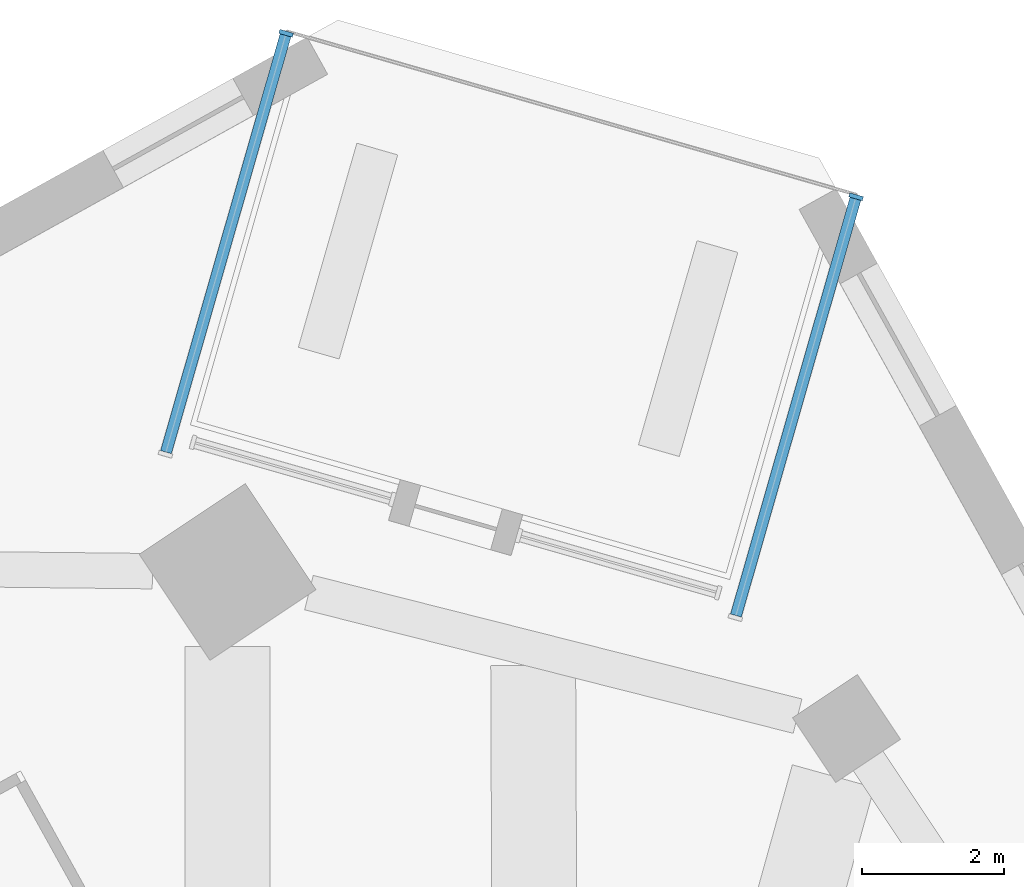
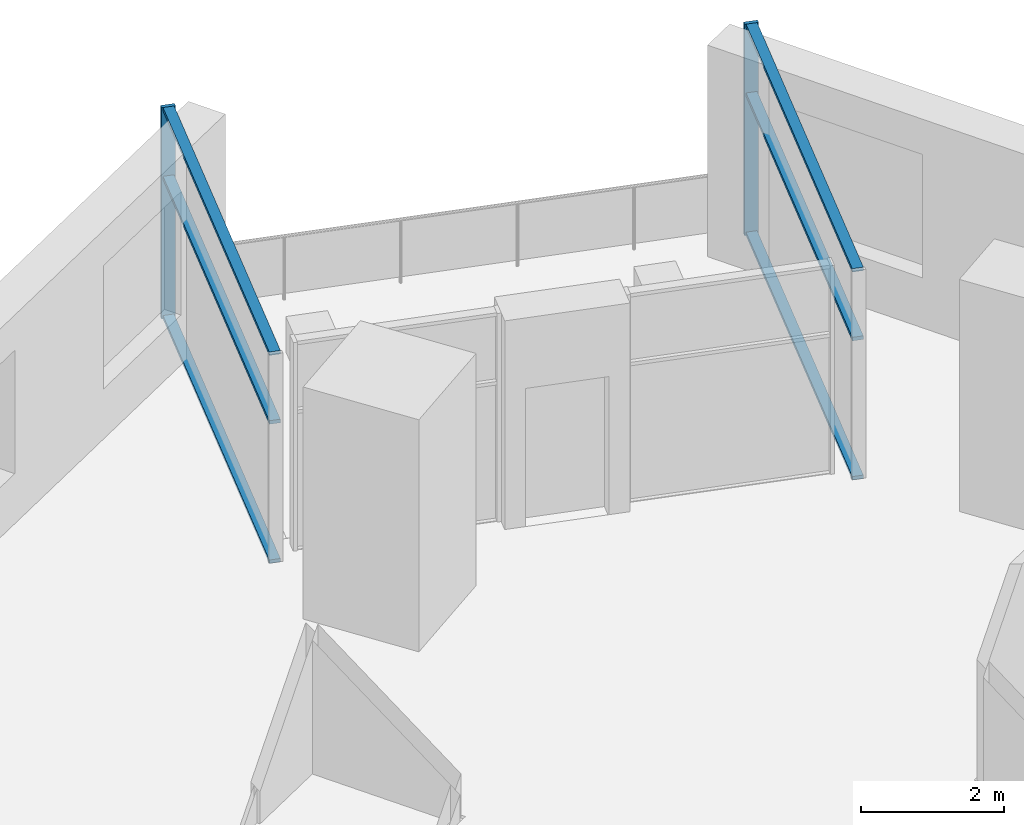
# One storey, part 3 of 12: 8 members, 2 elements without a shape of their own.
"""IFC4 building model written with IfcOpenShell, lengths in metres."""

from ifc_helpers import new_model, si_unit, direction, frame, origin, origin_2d, place, context, subcontext, project, spatial, rectangle, extrude, material, material_profile, profile_set, type_object, element, aggregate, save


model = new_model("IFC4")

# Units and contexts
model_context = context("Model", 3, precision=1e-05, world=origin(), true_north=direction((0.0, 1.0)))
body_context = subcontext(model_context, "Body", "Model", "MODEL_VIEW")
ifc_project = project(units=[si_unit("LENGTHUNIT", "METRE"), si_unit("AREAUNIT", "SQUARE_METRE"), si_unit("VOLUMEUNIT", "CUBIC_METRE"), si_unit("PLANEANGLEUNIT", "RADIAN"), si_unit("MASSUNIT", "GRAM", prefix="KILO")], contexts=[model_context])

# Site, building, storey
site_placement = place(None, origin())
site = spatial("IfcSite", under=ifc_project, at=site_placement, CompositionType="ELEMENT")
building_placement = place(site_placement, origin())
building = spatial("IfcBuilding", under=site, at=building_placement, Name="Dilmun Exchange Tower", CompositionType="ELEMENT")
storey_placement = place(building_placement, frame((0.0, 0.0, 143.699951171875)))
storey = spatial("IfcBuildingStorey", under=building, at=storey_placement, Name="L33", CompositionType="ELEMENT", Elevation=143.699951171875)

# Curtain wall, member
ifc_material_1 = material(Name="Anodised aluminium and clear glass", Category="aluminium")
curtain_wall_type = type_object("IfcCurtainWallType", Name="Garden corner glazing", PredefinedType="NOTDEFINED", material=ifc_material_1)
curtain_wall_1_placement = place(storey_placement, origin())
curtain_wall_1 = element("IfcCurtainWall", 1, at=curtain_wall_1_placement, inside=storey, type_object=curtain_wall_type, Name="Garden corner glazing run GC1.1", PredefinedType="NOTDEFINED")
ifc_material_2 = material(Name="Anodised aluminium", Category="aluminium")
ifc_material_profile_1 = material_profile(ifc_material_2, rectangle(XDim=0.199951171875, YDim=0.06005859375, at=origin_2d()), Name="AL 60x200")
ifc_profile_set_1 = profile_set([ifc_material_profile_1], Name="Anodised aluminium")
member_type_1 = type_object("IfcMemberType", Name="Garden corner glazing mullion 60 x 200", PredefinedType="MULLION", material=ifc_profile_set_1)
member_1_placement = place(storey_placement, frame((16.38623046875, 32.712158203125, 0.0), z_axis=(0.0, 0.0, 1.0), x_axis=(0.961263137899, -0.275632327054, 0.0)))
member_1 = element("IfcMember", 2, at=member_1_placement, type_object=member_type_1, Name="GC1.1 mullion 1", PredefinedType="MULLION", context=body_context, shape_type="SweptSolid", body=[
    extrude(rectangle(XDim=0.199951171875, YDim=0.06005859375, at=origin_2d()), origin(), (0.0, 0.0, 1.0), 3.60009765625),
])

curtain_wall_2_placement = place(storey_placement, origin())
curtain_wall_2 = element("IfcCurtainWall", 3, at=curtain_wall_2_placement, inside=storey, type_object=curtain_wall_type, Name="Garden corner glazing run GC3.1", PredefinedType="NOTDEFINED")
member_2_placement = place(storey_placement, frame((8.33251953125, 35.021728515625, 0.0), z_axis=(0.0, 0.0, 1.0), x_axis=(-0.961264354152, 0.275628085354, 0.0)))
member_2 = element("IfcMember", 4, at=member_2_placement, type_object=member_type_1, Name="GC3.1 mullion 2", PredefinedType="MULLION", context=body_context, shape_type="SweptSolid", body=[
    extrude(rectangle(XDim=0.199951171875, YDim=0.06005859375, at=origin_2d()), origin(), (0.0, 0.0, 1.0), 3.60009765625),
])

# Member
ifc_material_profile_2 = material_profile(ifc_material_2, rectangle(XDim=0.159912109375, YDim=0.06005859375, at=origin_2d()), Name="AL 60x160")
ifc_profile_set_2 = profile_set([ifc_material_profile_2], Name="Anodised aluminium")
member_type_2 = type_object("IfcMemberType", Name="Garden corner glazing transom 60 x 160", PredefinedType="USERDEFINED", material=ifc_profile_set_2)
member_3_placement = place(storey_placement, frame((16.3779296875, 32.683349609375, 0.030029296875), z_axis=(-0.275652621058, -0.96125731857, 0.0), x_axis=(0.96125731857, -0.275652621058, 0.0)))
member_3 = element("IfcMember", 5, at=member_3_placement, type_object=member_type_2, Name="GC1.1 transom 1.1", ObjectType="TRANSOM", PredefinedType="USERDEFINED", context=body_context, shape_type="SweptSolid", body=[
    extrude(rectangle(XDim=0.159912109375, YDim=0.06005859375, at=origin_2d()), origin(), (0.0, 0.0, 1.0), 6.126220703125),
])

member_4_placement = place(storey_placement, frame((16.3779296875, 32.683349609375, 2.400146484375), z_axis=(-0.275652621058, -0.96125731857, 0.0), x_axis=(0.96125731857, -0.275652621058, 0.0)))
member_4 = element("IfcMember", 6, at=member_4_placement, type_object=member_type_2, Name="GC1.1 transom 1.2", ObjectType="TRANSOM", PredefinedType="USERDEFINED", context=body_context, shape_type="SweptSolid", body=[
    extrude(rectangle(XDim=0.159912109375, YDim=0.06005859375, at=origin_2d()), origin(), (0.0, 0.0, 1.0), 6.126220703125),
])

member_5_placement = place(storey_placement, frame((16.3779296875, 32.683349609375, 3.570068359375), z_axis=(-0.275652621058, -0.96125731857, 0.0), x_axis=(0.96125731857, -0.275652621058, 0.0)))
member_5 = element("IfcMember", 7, at=member_5_placement, type_object=member_type_2, Name="GC1.1 transom 1.3", ObjectType="TRANSOM", PredefinedType="USERDEFINED", context=body_context, shape_type="SweptSolid", body=[
    extrude(rectangle(XDim=0.159912109375, YDim=0.06005859375, at=origin_2d()), origin(), (0.0, 0.0, 1.0), 6.126220703125),
])

aggregate(curtain_wall_1, [member_1, member_3, member_4, member_5])

member_6_placement = place(storey_placement, frame((6.6357421875, 29.103759765625, 0.030029296875), z_axis=(0.275605239069, 0.961270904687, 0.0), x_axis=(-0.961270904687, 0.275605239069, 0.0)))
member_6 = element("IfcMember", 8, at=member_6_placement, type_object=member_type_2, Name="GC3.1 transom 1.1", ObjectType="TRANSOM", PredefinedType="USERDEFINED", context=body_context, shape_type="SweptSolid", body=[
    extrude(rectangle(XDim=0.159912109375, YDim=0.06005859375, at=origin_2d()), origin(), (0.0, 0.0, 1.0), 6.12646484375),
])

member_7_placement = place(storey_placement, frame((6.6357421875, 29.103759765625, 2.400146484375), z_axis=(0.275605239069, 0.961270904687, 0.0), x_axis=(-0.961270904687, 0.275605239069, 0.0)))
member_7 = element("IfcMember", 9, at=member_7_placement, type_object=member_type_2, Name="GC3.1 transom 1.2", ObjectType="TRANSOM", PredefinedType="USERDEFINED", context=body_context, shape_type="SweptSolid", body=[
    extrude(rectangle(XDim=0.159912109375, YDim=0.06005859375, at=origin_2d()), origin(), (0.0, 0.0, 1.0), 6.12646484375),
])

member_8_placement = place(storey_placement, frame((6.6357421875, 29.103759765625, 3.570068359375), z_axis=(0.275605239069, 0.961270904687, 0.0), x_axis=(-0.961270904687, 0.275605239069, 0.0)))
member_8 = element("IfcMember", 10, at=member_8_placement, type_object=member_type_2, Name="GC3.1 transom 1.3", ObjectType="TRANSOM", PredefinedType="USERDEFINED", context=body_context, shape_type="SweptSolid", body=[
    extrude(rectangle(XDim=0.159912109375, YDim=0.06005859375, at=origin_2d()), origin(), (0.0, 0.0, 1.0), 6.12646484375),
])

aggregate(curtain_wall_2, [member_2, member_6, member_7, member_8])

save(model, "model.ifc")
